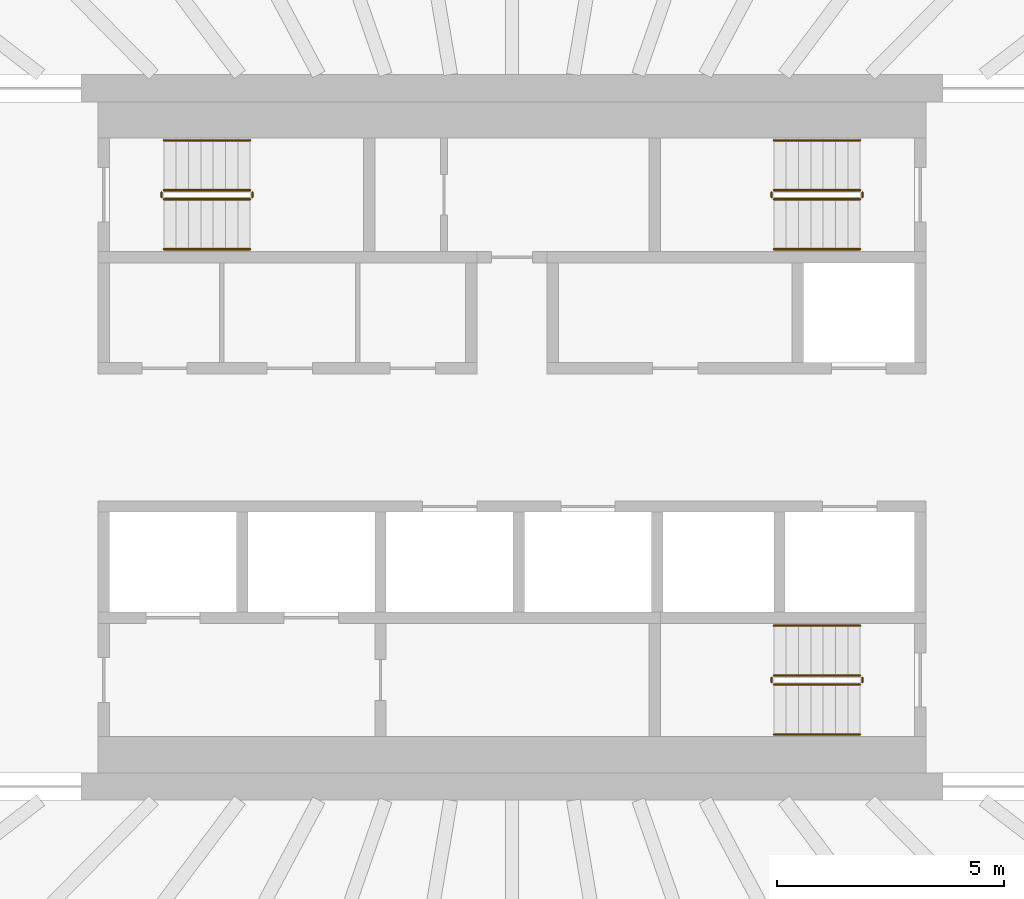
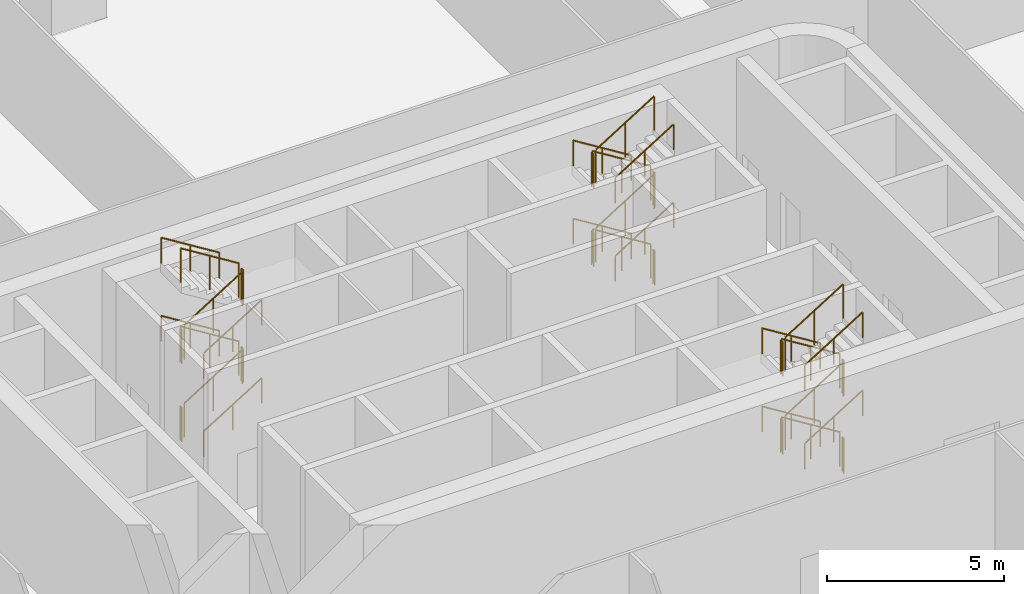
# One storey, part 41 of 42: 36 railings.
"""IFC4 building model written with IfcOpenShell, lengths in metres."""

from ifc_helpers import new_model, si_unit, direction, frame, origin, origin_2d, place, context, subcontext, project, spatial, circle, extrude, material, type_object, element, save


model = new_model("IFC4")

# Units and contexts
model_context = context("Model", 3, precision=1e-05, world=origin(), true_north=direction((0.0, 1.0)))
body_context = subcontext(model_context, "Body", "Model", "MODEL_VIEW")
ifc_project = project(units=[si_unit("LENGTHUNIT", "METRE"), si_unit("AREAUNIT", "SQUARE_METRE"), si_unit("VOLUMEUNIT", "CUBIC_METRE"), si_unit("PLANEANGLEUNIT", "RADIAN"), si_unit("MASSUNIT", "GRAM", prefix="KILO")], contexts=[model_context])

# Site, building, storey
site_placement = place(None, origin())
site = spatial("IfcSite", under=ifc_project, at=site_placement, CompositionType="ELEMENT")
building_placement = place(site_placement, origin())
building = spatial("IfcBuilding", under=site, at=building_placement, Name="Sahrelin Media Tower", CompositionType="ELEMENT")
storey_placement = place(building_placement, frame((0.0, 0.0, 26.0)))
storey = spatial("IfcBuildingStorey", under=building, at=storey_placement, Name="L03", CompositionType="ELEMENT", Elevation=26.0)

# Railings
ifc_material = material(Name="Steel S355", Category="steel")
railing_type_1 = type_object("IfcRailingType", Name="Stair guard 1200", PredefinedType="GUARDRAIL", material=ifc_material)
railing_1_placement = place(storey_placement, frame((-7.675048828125, 5.25, 0.168701171875)))
element("IfcRailing", 1, at=railing_1_placement, inside=storey, type_object=railing_type_1, Name="L03 ST1 stair guard 1", PredefinedType="GUARDRAIL", context=body_context, shape_type="SweptSolid", body=[
    extrude(circle(Radius=0.02392578125, at=origin_2d()), frame((0.0, 0.0, 1.17578125), z_axis=(0.849240365539, 0.0, 0.528006440812), x_axis=(0.0, 1.0, 0.0)), (0.0, 0.0, 1.0), 2.237548828125),
    extrude(circle(Radius=0.02099609375, at=origin_2d()), origin(), (0.0, 0.0, 1.0), 1.15185546875),
    extrude(circle(Radius=0.02099609375, at=origin_2d()), frame((0.9501953125, 0.0, 0.5908203125)), (0.0, 0.0, 1.0), 1.15185546875),
    extrude(circle(Radius=0.02099609375, at=origin_2d()), frame((1.900146484375, 0.0, 1.181396484375)), (0.0, 0.0, 1.0), 1.15185546875),
])
railing_2_placement = place(storey_placement, frame((-5.72509765625, 5.300048828125, 1.35009765625)))
element("IfcRailing", 2, at=railing_2_placement, inside=storey, type_object=railing_type_1, Name="L03 ST1 stair guard 2", PredefinedType="GUARDRAIL", context=body_context, shape_type="SweptSolid", body=[
    extrude(circle(Radius=0.02392578125, at=origin_2d()), frame((0.0, 0.0, 1.17578125), z_axis=(0.0, 1.0, 0.0), x_axis=(-1.0, 0.0, 0.0)), (0.0, 0.0, 1.0), 0.099853515625),
    extrude(circle(Radius=0.02099609375, at=origin_2d()), origin(), (0.0, 0.0, 1.0), 1.15185546875),
    extrude(circle(Radius=0.02099609375, at=origin_2d()), frame((0.0, 0.099853515625, 0.0)), (0.0, 0.0, 1.0), 1.15185546875),
])
railing_3_placement = place(storey_placement, frame((-5.77490234375, 5.449951171875, 1.518798828125)))
element("IfcRailing", 3, at=railing_3_placement, inside=storey, type_object=railing_type_1, Name="L03 ST1 stair guard 3", PredefinedType="GUARDRAIL", context=body_context, shape_type="SweptSolid", body=[
    extrude(circle(Radius=0.02392578125, at=origin_2d()), frame((0.0, 0.0, 1.17578125), z_axis=(-0.849289292259, 0.0, 0.527927739425), x_axis=(0.0, -1.0, 0.0)), (0.0, 0.0, 1.0), 2.2373046875),
    extrude(circle(Radius=0.02099609375, at=origin_2d()), origin(), (0.0, 0.0, 1.0), 1.15185546875),
    extrude(circle(Radius=0.02099609375, at=origin_2d()), frame((-0.9501953125, 0.0, 0.590576171875)), (0.0, 0.0, 1.0), 1.15185546875),
    extrude(circle(Radius=0.02099609375, at=origin_2d()), frame((-1.900146484375, 0.0, 1.18115234375)), (0.0, 0.0, 1.0), 1.15185546875),
])
railing_4_placement = place(storey_placement, frame((-7.72509765625, 5.300048828125, 2.699951171875)))
element("IfcRailing", 4, at=railing_4_placement, inside=storey, type_object=railing_type_1, Name="L03 ST1 stair guard 4", PredefinedType="GUARDRAIL", context=body_context, shape_type="SweptSolid", body=[
    extrude(circle(Radius=0.02392578125, at=origin_2d()), frame((0.0, 0.0, 1.17578125), z_axis=(0.0, 1.0, 0.0), x_axis=(-1.0, 0.0, 0.0)), (0.0, 0.0, 1.0), 0.099853515625),
    extrude(circle(Radius=0.02099609375, at=origin_2d()), origin(), (0.0, 0.0, 1.0), 1.15185546875),
    extrude(circle(Radius=0.02099609375, at=origin_2d()), frame((0.0, 0.099853515625, 0.0)), (0.0, 0.0, 1.0), 1.15185546875),
])
railing_5_placement = place(storey_placement, frame((-7.675048828125, 5.25, 2.86865234375)))
element("IfcRailing", 5, at=railing_5_placement, inside=storey, type_object=railing_type_1, Name="L03 ST1 stair guard 5", PredefinedType="GUARDRAIL", context=body_context, shape_type="SweptSolid", body=[
    extrude(circle(Radius=0.02392578125, at=origin_2d()), frame((0.0, 0.0, 1.17578125), z_axis=(0.849240365539, 0.0, 0.528006440812), x_axis=(0.0, 1.0, 0.0)), (0.0, 0.0, 1.0), 2.237548828125),
    extrude(circle(Radius=0.02099609375, at=origin_2d()), origin(), (0.0, 0.0, 1.0), 1.15185546875),
    extrude(circle(Radius=0.02099609375, at=origin_2d()), frame((0.9501953125, 0.0, 0.5908203125)), (0.0, 0.0, 1.0), 1.15185546875),
    extrude(circle(Radius=0.02099609375, at=origin_2d()), frame((1.900146484375, 0.0, 1.181396484375)), (0.0, 0.0, 1.0), 1.15185546875),
])
railing_6_placement = place(storey_placement, frame((-5.72509765625, 5.300048828125, 4.050048828125)))
element("IfcRailing", 6, at=railing_6_placement, inside=storey, type_object=railing_type_1, Name="L03 ST1 stair guard 6", PredefinedType="GUARDRAIL", context=body_context, shape_type="SweptSolid", body=[
    extrude(circle(Radius=0.02392578125, at=origin_2d()), frame((0.0, 0.0, 1.17578125), z_axis=(0.0, 1.0, 0.0), x_axis=(-1.0, 0.0, 0.0)), (0.0, 0.0, 1.0), 0.099853515625),
    extrude(circle(Radius=0.02099609375, at=origin_2d()), origin(), (0.0, 0.0, 1.0), 1.15185546875),
    extrude(circle(Radius=0.02099609375, at=origin_2d()), frame((0.0, 0.099853515625, 0.0)), (0.0, 0.0, 1.0), 1.15185546875),
])
railing_7_placement = place(storey_placement, frame((-5.77490234375, 5.449951171875, 4.21875)))
element("IfcRailing", 7, at=railing_7_placement, inside=storey, type_object=railing_type_1, Name="L03 ST1 stair guard 7", PredefinedType="GUARDRAIL", context=body_context, shape_type="SweptSolid", body=[
    extrude(circle(Radius=0.02392578125, at=origin_2d()), frame((0.0, 0.0, 1.17578125), z_axis=(-0.849289292259, 0.0, 0.527927739425), x_axis=(0.0, -1.0, 0.0)), (0.0, 0.0, 1.0), 2.2373046875),
    extrude(circle(Radius=0.02099609375, at=origin_2d()), origin(), (0.0, 0.0, 1.0), 1.15185546875),
    extrude(circle(Radius=0.02099609375, at=origin_2d()), frame((-0.9501953125, 0.0, 0.590576171875)), (0.0, 0.0, 1.0), 1.15185546875),
    extrude(circle(Radius=0.02099609375, at=origin_2d()), frame((-1.900146484375, 0.0, 1.18115234375)), (0.0, 0.0, 1.0), 1.15185546875),
])
railing_8_placement = place(storey_placement, frame((-7.72509765625, 5.300048828125, 0.0)))
element("IfcRailing", 8, at=railing_8_placement, inside=storey, type_object=railing_type_1, Name="L03 ST1 stair guard 8", PredefinedType="GUARDRAIL", context=body_context, shape_type="SweptSolid", body=[
    extrude(circle(Radius=0.02392578125, at=origin_2d()), frame((0.0, 0.0, 1.17578125), z_axis=(0.0, 1.0, 0.0), x_axis=(-1.0, 0.0, 0.0)), (0.0, 0.0, 1.0), 0.099853515625),
    extrude(circle(Radius=0.02099609375, at=origin_2d()), origin(), (0.0, 0.0, 1.0), 1.15185546875),
    extrude(circle(Radius=0.02099609375, at=origin_2d()), frame((0.0, 0.099853515625, 0.0)), (0.0, 0.0, 1.0), 1.15185546875),
])
railing_9_placement = place(storey_placement, frame((7.675048828125, 5.449951171875, 0.168701171875)))
element("IfcRailing", 9, at=railing_9_placement, inside=storey, type_object=railing_type_1, Name="L03 ST3 stair guard 1", PredefinedType="GUARDRAIL", context=body_context, shape_type="SweptSolid", body=[
    extrude(circle(Radius=0.02392578125, at=origin_2d()), frame((0.0, 0.0, 1.17578125), z_axis=(-0.849240365539, 0.0, 0.528006440812), x_axis=(0.0, -1.0, 0.0)), (0.0, 0.0, 1.0), 2.237548828125),
    extrude(circle(Radius=0.02099609375, at=origin_2d()), origin(), (0.0, 0.0, 1.0), 1.15185546875),
    extrude(circle(Radius=0.02099609375, at=origin_2d()), frame((-0.9501953125, 0.0, 0.5908203125)), (0.0, 0.0, 1.0), 1.15185546875),
    extrude(circle(Radius=0.02099609375, at=origin_2d()), frame((-1.900146484375, 0.0, 1.181396484375)), (0.0, 0.0, 1.0), 1.15185546875),
])
railing_10_placement = place(storey_placement, frame((5.72509765625, 5.39990234375, 1.35009765625)))
element("IfcRailing", 10, at=railing_10_placement, inside=storey, type_object=railing_type_1, Name="L03 ST3 stair guard 2", PredefinedType="GUARDRAIL", context=body_context, shape_type="SweptSolid", body=[
    extrude(circle(Radius=0.02392578125, at=origin_2d()), frame((0.0, 0.0, 1.17578125), z_axis=(0.0, -1.0, 0.0), x_axis=(1.0, 0.0, 0.0)), (0.0, 0.0, 1.0), 0.099853515625),
    extrude(circle(Radius=0.02099609375, at=origin_2d()), origin(), (0.0, 0.0, 1.0), 1.15185546875),
    extrude(circle(Radius=0.02099609375, at=origin_2d()), frame((0.0, -0.099853515625, 0.0)), (0.0, 0.0, 1.0), 1.15185546875),
])
railing_11_placement = place(storey_placement, frame((5.77490234375, 5.25, 1.518798828125)))
element("IfcRailing", 11, at=railing_11_placement, inside=storey, type_object=railing_type_1, Name="L03 ST3 stair guard 3", PredefinedType="GUARDRAIL", context=body_context, shape_type="SweptSolid", body=[
    extrude(circle(Radius=0.02392578125, at=origin_2d()), frame((0.0, 0.0, 1.17578125), z_axis=(0.849289292259, 0.0, 0.527927739425), x_axis=(0.0, 1.0, 0.0)), (0.0, 0.0, 1.0), 2.2373046875),
    extrude(circle(Radius=0.02099609375, at=origin_2d()), origin(), (0.0, 0.0, 1.0), 1.15185546875),
    extrude(circle(Radius=0.02099609375, at=origin_2d()), frame((0.9501953125, 0.0, 0.590576171875)), (0.0, 0.0, 1.0), 1.15185546875),
    extrude(circle(Radius=0.02099609375, at=origin_2d()), frame((1.900146484375, 0.0, 1.18115234375)), (0.0, 0.0, 1.0), 1.15185546875),
])
railing_12_placement = place(storey_placement, frame((7.72509765625, 5.39990234375, 2.699951171875)))
element("IfcRailing", 12, at=railing_12_placement, inside=storey, type_object=railing_type_1, Name="L03 ST3 stair guard 4", PredefinedType="GUARDRAIL", context=body_context, shape_type="SweptSolid", body=[
    extrude(circle(Radius=0.02392578125, at=origin_2d()), frame((0.0, 0.0, 1.17578125), z_axis=(0.0, -1.0, 0.0), x_axis=(1.0, 0.0, 0.0)), (0.0, 0.0, 1.0), 0.099853515625),
    extrude(circle(Radius=0.02099609375, at=origin_2d()), origin(), (0.0, 0.0, 1.0), 1.15185546875),
    extrude(circle(Radius=0.02099609375, at=origin_2d()), frame((0.0, -0.099853515625, 0.0)), (0.0, 0.0, 1.0), 1.15185546875),
])
railing_13_placement = place(storey_placement, frame((7.675048828125, 5.449951171875, 2.86865234375)))
element("IfcRailing", 13, at=railing_13_placement, inside=storey, type_object=railing_type_1, Name="L03 ST3 stair guard 5", PredefinedType="GUARDRAIL", context=body_context, shape_type="SweptSolid", body=[
    extrude(circle(Radius=0.02392578125, at=origin_2d()), frame((0.0, 0.0, 1.17578125), z_axis=(-0.849240365539, 0.0, 0.528006440812), x_axis=(0.0, -1.0, 0.0)), (0.0, 0.0, 1.0), 2.237548828125),
    extrude(circle(Radius=0.02099609375, at=origin_2d()), origin(), (0.0, 0.0, 1.0), 1.15185546875),
    extrude(circle(Radius=0.02099609375, at=origin_2d()), frame((-0.9501953125, 0.0, 0.5908203125)), (0.0, 0.0, 1.0), 1.15185546875),
    extrude(circle(Radius=0.02099609375, at=origin_2d()), frame((-1.900146484375, 0.0, 1.181396484375)), (0.0, 0.0, 1.0), 1.15185546875),
])
railing_14_placement = place(storey_placement, frame((5.72509765625, 5.39990234375, 4.050048828125)))
element("IfcRailing", 14, at=railing_14_placement, inside=storey, type_object=railing_type_1, Name="L03 ST3 stair guard 6", PredefinedType="GUARDRAIL", context=body_context, shape_type="SweptSolid", body=[
    extrude(circle(Radius=0.02392578125, at=origin_2d()), frame((0.0, 0.0, 1.17578125), z_axis=(0.0, -1.0, 0.0), x_axis=(1.0, 0.0, 0.0)), (0.0, 0.0, 1.0), 0.099853515625),
    extrude(circle(Radius=0.02099609375, at=origin_2d()), origin(), (0.0, 0.0, 1.0), 1.15185546875),
    extrude(circle(Radius=0.02099609375, at=origin_2d()), frame((0.0, -0.099853515625, 0.0)), (0.0, 0.0, 1.0), 1.15185546875),
])
railing_15_placement = place(storey_placement, frame((5.77490234375, 5.25, 4.21875)))
element("IfcRailing", 15, at=railing_15_placement, inside=storey, type_object=railing_type_1, Name="L03 ST3 stair guard 7", PredefinedType="GUARDRAIL", context=body_context, shape_type="SweptSolid", body=[
    extrude(circle(Radius=0.02392578125, at=origin_2d()), frame((0.0, 0.0, 1.17578125), z_axis=(0.849289292259, 0.0, 0.527927739425), x_axis=(0.0, 1.0, 0.0)), (0.0, 0.0, 1.0), 2.2373046875),
    extrude(circle(Radius=0.02099609375, at=origin_2d()), origin(), (0.0, 0.0, 1.0), 1.15185546875),
    extrude(circle(Radius=0.02099609375, at=origin_2d()), frame((0.9501953125, 0.0, 0.590576171875)), (0.0, 0.0, 1.0), 1.15185546875),
    extrude(circle(Radius=0.02099609375, at=origin_2d()), frame((1.900146484375, 0.0, 1.18115234375)), (0.0, 0.0, 1.0), 1.15185546875),
])
railing_16_placement = place(storey_placement, frame((7.72509765625, 5.39990234375, 0.0)))
element("IfcRailing", 16, at=railing_16_placement, inside=storey, type_object=railing_type_1, Name="L03 ST3 stair guard 8", PredefinedType="GUARDRAIL", context=body_context, shape_type="SweptSolid", body=[
    extrude(circle(Radius=0.02392578125, at=origin_2d()), frame((0.0, 0.0, 1.17578125), z_axis=(0.0, -1.0, 0.0), x_axis=(1.0, 0.0, 0.0)), (0.0, 0.0, 1.0), 0.099853515625),
    extrude(circle(Radius=0.02099609375, at=origin_2d()), origin(), (0.0, 0.0, 1.0), 1.15185546875),
    extrude(circle(Radius=0.02099609375, at=origin_2d()), frame((0.0, -0.099853515625, 0.0)), (0.0, 0.0, 1.0), 1.15185546875),
])
railing_17_placement = place(storey_placement, frame((7.675048828125, -5.25, 0.168701171875)))
element("IfcRailing", 17, at=railing_17_placement, inside=storey, type_object=railing_type_1, Name="L03 ST2 stair guard 1", PredefinedType="GUARDRAIL", context=body_context, shape_type="SweptSolid", body=[
    extrude(circle(Radius=0.02392578125, at=origin_2d()), frame((0.0, 0.0, 1.17578125), z_axis=(-0.849240365539, 0.0, 0.528006440812), x_axis=(0.0, -1.0, 0.0)), (0.0, 0.0, 1.0), 2.237548828125),
    extrude(circle(Radius=0.02099609375, at=origin_2d()), origin(), (0.0, 0.0, 1.0), 1.15185546875),
    extrude(circle(Radius=0.02099609375, at=origin_2d()), frame((-0.9501953125, 0.0, 0.5908203125)), (0.0, 0.0, 1.0), 1.15185546875),
    extrude(circle(Radius=0.02099609375, at=origin_2d()), frame((-1.900146484375, 0.0, 1.181396484375)), (0.0, 0.0, 1.0), 1.15185546875),
])
railing_18_placement = place(storey_placement, frame((5.72509765625, -5.300048828125, 1.35009765625)))
element("IfcRailing", 18, at=railing_18_placement, inside=storey, type_object=railing_type_1, Name="L03 ST2 stair guard 2", PredefinedType="GUARDRAIL", context=body_context, shape_type="SweptSolid", body=[
    extrude(circle(Radius=0.02392578125, at=origin_2d()), frame((0.0, 0.0, 1.17578125), z_axis=(0.0, -1.0, 0.0), x_axis=(1.0, 0.0, 0.0)), (0.0, 0.0, 1.0), 0.099853515625),
    extrude(circle(Radius=0.02099609375, at=origin_2d()), origin(), (0.0, 0.0, 1.0), 1.15185546875),
    extrude(circle(Radius=0.02099609375, at=origin_2d()), frame((0.0, -0.099853515625, 0.0)), (0.0, 0.0, 1.0), 1.15185546875),
])
railing_19_placement = place(storey_placement, frame((5.77490234375, -5.449951171875, 1.518798828125)))
element("IfcRailing", 19, at=railing_19_placement, inside=storey, type_object=railing_type_1, Name="L03 ST2 stair guard 3", PredefinedType="GUARDRAIL", context=body_context, shape_type="SweptSolid", body=[
    extrude(circle(Radius=0.02392578125, at=origin_2d()), frame((0.0, 0.0, 1.17578125), z_axis=(0.849289292259, 0.0, 0.527927739425), x_axis=(0.0, 1.0, 0.0)), (0.0, 0.0, 1.0), 2.2373046875),
    extrude(circle(Radius=0.02099609375, at=origin_2d()), origin(), (0.0, 0.0, 1.0), 1.15185546875),
    extrude(circle(Radius=0.02099609375, at=origin_2d()), frame((0.9501953125, 0.0, 0.590576171875)), (0.0, 0.0, 1.0), 1.15185546875),
    extrude(circle(Radius=0.02099609375, at=origin_2d()), frame((1.900146484375, 0.0, 1.18115234375)), (0.0, 0.0, 1.0), 1.15185546875),
])
railing_20_placement = place(storey_placement, frame((7.72509765625, -5.300048828125, 2.699951171875)))
element("IfcRailing", 20, at=railing_20_placement, inside=storey, type_object=railing_type_1, Name="L03 ST2 stair guard 4", PredefinedType="GUARDRAIL", context=body_context, shape_type="SweptSolid", body=[
    extrude(circle(Radius=0.02392578125, at=origin_2d()), frame((0.0, 0.0, 1.17578125), z_axis=(0.0, -1.0, 0.0), x_axis=(1.0, 0.0, 0.0)), (0.0, 0.0, 1.0), 0.099853515625),
    extrude(circle(Radius=0.02099609375, at=origin_2d()), origin(), (0.0, 0.0, 1.0), 1.15185546875),
    extrude(circle(Radius=0.02099609375, at=origin_2d()), frame((0.0, -0.099853515625, 0.0)), (0.0, 0.0, 1.0), 1.15185546875),
])
railing_21_placement = place(storey_placement, frame((7.675048828125, -5.25, 2.86865234375)))
element("IfcRailing", 21, at=railing_21_placement, inside=storey, type_object=railing_type_1, Name="L03 ST2 stair guard 5", PredefinedType="GUARDRAIL", context=body_context, shape_type="SweptSolid", body=[
    extrude(circle(Radius=0.02392578125, at=origin_2d()), frame((0.0, 0.0, 1.17578125), z_axis=(-0.849240365539, 0.0, 0.528006440812), x_axis=(0.0, -1.0, 0.0)), (0.0, 0.0, 1.0), 2.237548828125),
    extrude(circle(Radius=0.02099609375, at=origin_2d()), origin(), (0.0, 0.0, 1.0), 1.15185546875),
    extrude(circle(Radius=0.02099609375, at=origin_2d()), frame((-0.9501953125, 0.0, 0.5908203125)), (0.0, 0.0, 1.0), 1.15185546875),
    extrude(circle(Radius=0.02099609375, at=origin_2d()), frame((-1.900146484375, 0.0, 1.181396484375)), (0.0, 0.0, 1.0), 1.15185546875),
])
railing_22_placement = place(storey_placement, frame((5.72509765625, -5.300048828125, 4.050048828125)))
element("IfcRailing", 22, at=railing_22_placement, inside=storey, type_object=railing_type_1, Name="L03 ST2 stair guard 6", PredefinedType="GUARDRAIL", context=body_context, shape_type="SweptSolid", body=[
    extrude(circle(Radius=0.02392578125, at=origin_2d()), frame((0.0, 0.0, 1.17578125), z_axis=(0.0, -1.0, 0.0), x_axis=(1.0, 0.0, 0.0)), (0.0, 0.0, 1.0), 0.099853515625),
    extrude(circle(Radius=0.02099609375, at=origin_2d()), origin(), (0.0, 0.0, 1.0), 1.15185546875),
    extrude(circle(Radius=0.02099609375, at=origin_2d()), frame((0.0, -0.099853515625, 0.0)), (0.0, 0.0, 1.0), 1.15185546875),
])
railing_23_placement = place(storey_placement, frame((5.77490234375, -5.449951171875, 4.21875)))
element("IfcRailing", 23, at=railing_23_placement, inside=storey, type_object=railing_type_1, Name="L03 ST2 stair guard 7", PredefinedType="GUARDRAIL", context=body_context, shape_type="SweptSolid", body=[
    extrude(circle(Radius=0.02392578125, at=origin_2d()), frame((0.0, 0.0, 1.17578125), z_axis=(0.849289292259, 0.0, 0.527927739425), x_axis=(0.0, 1.0, 0.0)), (0.0, 0.0, 1.0), 2.2373046875),
    extrude(circle(Radius=0.02099609375, at=origin_2d()), origin(), (0.0, 0.0, 1.0), 1.15185546875),
    extrude(circle(Radius=0.02099609375, at=origin_2d()), frame((0.9501953125, 0.0, 0.590576171875)), (0.0, 0.0, 1.0), 1.15185546875),
    extrude(circle(Radius=0.02099609375, at=origin_2d()), frame((1.900146484375, 0.0, 1.18115234375)), (0.0, 0.0, 1.0), 1.15185546875),
])
railing_24_placement = place(storey_placement, frame((7.72509765625, -5.300048828125, 0.0)))
element("IfcRailing", 24, at=railing_24_placement, inside=storey, type_object=railing_type_1, Name="L03 ST2 stair guard 8", PredefinedType="GUARDRAIL", context=body_context, shape_type="SweptSolid", body=[
    extrude(circle(Radius=0.02392578125, at=origin_2d()), frame((0.0, 0.0, 1.17578125), z_axis=(0.0, -1.0, 0.0), x_axis=(1.0, 0.0, 0.0)), (0.0, 0.0, 1.0), 0.099853515625),
    extrude(circle(Radius=0.02099609375, at=origin_2d()), origin(), (0.0, 0.0, 1.0), 1.15185546875),
    extrude(circle(Radius=0.02099609375, at=origin_2d()), frame((0.0, -0.099853515625, 0.0)), (0.0, 0.0, 1.0), 1.15185546875),
])
railing_type_2 = type_object("IfcRailingType", Name="Stair handrail 900", PredefinedType="HANDRAIL", material=ifc_material)
railing_25_placement = place(storey_placement, frame((-7.675048828125, 4.14990234375, 0.168701171875)))
element("IfcRailing", 25, at=railing_25_placement, inside=storey, type_object=railing_type_2, Name="L03 ST1 stair handrail 1", PredefinedType="HANDRAIL", context=body_context, shape_type="SweptSolid", body=[
    extrude(circle(Radius=0.02392578125, at=origin_2d()), frame((0.0, 0.0, 0.8759765625), z_axis=(0.849240365539, 0.0, 0.528006440812), x_axis=(0.0, 1.0, 0.0)), (0.0, 0.0, 1.0), 2.237548828125),
    extrude(circle(Radius=0.02099609375, at=origin_2d()), origin(), (0.0, 0.0, 1.0), 0.851806640625),
    extrude(circle(Radius=0.02099609375, at=origin_2d()), frame((0.9501953125, 0.0, 0.5908203125)), (0.0, 0.0, 1.0), 0.851806640625),
    extrude(circle(Radius=0.02099609375, at=origin_2d()), frame((1.900146484375, 0.0, 1.181396484375)), (0.0, 0.0, 1.0), 0.851806640625),
])
railing_26_placement = place(storey_placement, frame((-5.77490234375, 6.550048828125, 1.518798828125)))
element("IfcRailing", 26, at=railing_26_placement, inside=storey, type_object=railing_type_2, Name="L03 ST1 stair handrail 2", PredefinedType="HANDRAIL", context=body_context, shape_type="SweptSolid", body=[
    extrude(circle(Radius=0.02392578125, at=origin_2d()), frame((0.0, 0.0, 0.8759765625), z_axis=(-0.849289292259, 0.0, 0.527927739425), x_axis=(0.0, -1.0, 0.0)), (0.0, 0.0, 1.0), 2.2373046875),
    extrude(circle(Radius=0.02099609375, at=origin_2d()), origin(), (0.0, 0.0, 1.0), 0.851806640625),
    extrude(circle(Radius=0.02099609375, at=origin_2d()), frame((-0.9501953125, 0.0, 0.590576171875)), (0.0, 0.0, 1.0), 0.851806640625),
    extrude(circle(Radius=0.02099609375, at=origin_2d()), frame((-1.900146484375, 0.0, 1.18115234375)), (0.0, 0.0, 1.0), 0.851806640625),
])
railing_27_placement = place(storey_placement, frame((-7.675048828125, 4.14990234375, 2.86865234375)))
element("IfcRailing", 27, at=railing_27_placement, inside=storey, type_object=railing_type_2, Name="L03 ST1 stair handrail 3", PredefinedType="HANDRAIL", context=body_context, shape_type="SweptSolid", body=[
    extrude(circle(Radius=0.02392578125, at=origin_2d()), frame((0.0, 0.0, 0.8759765625), z_axis=(0.849240365539, 0.0, 0.528006440812), x_axis=(0.0, 1.0, 0.0)), (0.0, 0.0, 1.0), 2.237548828125),
    extrude(circle(Radius=0.02099609375, at=origin_2d()), origin(), (0.0, 0.0, 1.0), 0.851806640625),
    extrude(circle(Radius=0.02099609375, at=origin_2d()), frame((0.9501953125, 0.0, 0.5908203125)), (0.0, 0.0, 1.0), 0.851806640625),
    extrude(circle(Radius=0.02099609375, at=origin_2d()), frame((1.900146484375, 0.0, 1.181396484375)), (0.0, 0.0, 1.0), 0.851806640625),
])
railing_28_placement = place(storey_placement, frame((-5.77490234375, 6.550048828125, 4.21875)))
element("IfcRailing", 28, at=railing_28_placement, inside=storey, type_object=railing_type_2, Name="L03 ST1 stair handrail 4", PredefinedType="HANDRAIL", context=body_context, shape_type="SweptSolid", body=[
    extrude(circle(Radius=0.02392578125, at=origin_2d()), frame((0.0, 0.0, 0.8759765625), z_axis=(-0.849289292259, 0.0, 0.527927739425), x_axis=(0.0, -1.0, 0.0)), (0.0, 0.0, 1.0), 2.2373046875),
    extrude(circle(Radius=0.02099609375, at=origin_2d()), origin(), (0.0, 0.0, 1.0), 0.851806640625),
    extrude(circle(Radius=0.02099609375, at=origin_2d()), frame((-0.9501953125, 0.0, 0.590576171875)), (0.0, 0.0, 1.0), 0.851806640625),
    extrude(circle(Radius=0.02099609375, at=origin_2d()), frame((-1.900146484375, 0.0, 1.18115234375)), (0.0, 0.0, 1.0), 0.851806640625),
])
railing_29_placement = place(storey_placement, frame((7.675048828125, 6.550048828125, 0.168701171875)))
element("IfcRailing", 29, at=railing_29_placement, inside=storey, type_object=railing_type_2, Name="L03 ST3 stair handrail 1", PredefinedType="HANDRAIL", context=body_context, shape_type="SweptSolid", body=[
    extrude(circle(Radius=0.02392578125, at=origin_2d()), frame((0.0, 0.0, 0.8759765625), z_axis=(-0.849240365539, 0.0, 0.528006440812), x_axis=(0.0, -1.0, 0.0)), (0.0, 0.0, 1.0), 2.237548828125),
    extrude(circle(Radius=0.02099609375, at=origin_2d()), origin(), (0.0, 0.0, 1.0), 0.851806640625),
    extrude(circle(Radius=0.02099609375, at=origin_2d()), frame((-0.9501953125, 0.0, 0.5908203125)), (0.0, 0.0, 1.0), 0.851806640625),
    extrude(circle(Radius=0.02099609375, at=origin_2d()), frame((-1.900146484375, 0.0, 1.181396484375)), (0.0, 0.0, 1.0), 0.851806640625),
])
railing_30_placement = place(storey_placement, frame((5.77490234375, 4.14990234375, 1.518798828125)))
element("IfcRailing", 30, at=railing_30_placement, inside=storey, type_object=railing_type_2, Name="L03 ST3 stair handrail 2", PredefinedType="HANDRAIL", context=body_context, shape_type="SweptSolid", body=[
    extrude(circle(Radius=0.02392578125, at=origin_2d()), frame((0.0, 0.0, 0.8759765625), z_axis=(0.849289292259, 0.0, 0.527927739425), x_axis=(0.0, 1.0, 0.0)), (0.0, 0.0, 1.0), 2.2373046875),
    extrude(circle(Radius=0.02099609375, at=origin_2d()), origin(), (0.0, 0.0, 1.0), 0.851806640625),
    extrude(circle(Radius=0.02099609375, at=origin_2d()), frame((0.9501953125, 0.0, 0.590576171875)), (0.0, 0.0, 1.0), 0.851806640625),
    extrude(circle(Radius=0.02099609375, at=origin_2d()), frame((1.900146484375, 0.0, 1.18115234375)), (0.0, 0.0, 1.0), 0.851806640625),
])
railing_31_placement = place(storey_placement, frame((7.675048828125, 6.550048828125, 2.86865234375)))
element("IfcRailing", 31, at=railing_31_placement, inside=storey, type_object=railing_type_2, Name="L03 ST3 stair handrail 3", PredefinedType="HANDRAIL", context=body_context, shape_type="SweptSolid", body=[
    extrude(circle(Radius=0.02392578125, at=origin_2d()), frame((0.0, 0.0, 0.8759765625), z_axis=(-0.849240365539, 0.0, 0.528006440812), x_axis=(0.0, -1.0, 0.0)), (0.0, 0.0, 1.0), 2.237548828125),
    extrude(circle(Radius=0.02099609375, at=origin_2d()), origin(), (0.0, 0.0, 1.0), 0.851806640625),
    extrude(circle(Radius=0.02099609375, at=origin_2d()), frame((-0.9501953125, 0.0, 0.5908203125)), (0.0, 0.0, 1.0), 0.851806640625),
    extrude(circle(Radius=0.02099609375, at=origin_2d()), frame((-1.900146484375, 0.0, 1.181396484375)), (0.0, 0.0, 1.0), 0.851806640625),
])
railing_32_placement = place(storey_placement, frame((5.77490234375, 4.14990234375, 4.21875)))
element("IfcRailing", 32, at=railing_32_placement, inside=storey, type_object=railing_type_2, Name="L03 ST3 stair handrail 4", PredefinedType="HANDRAIL", context=body_context, shape_type="SweptSolid", body=[
    extrude(circle(Radius=0.02392578125, at=origin_2d()), frame((0.0, 0.0, 0.8759765625), z_axis=(0.849289292259, 0.0, 0.527927739425), x_axis=(0.0, 1.0, 0.0)), (0.0, 0.0, 1.0), 2.2373046875),
    extrude(circle(Radius=0.02099609375, at=origin_2d()), origin(), (0.0, 0.0, 1.0), 0.851806640625),
    extrude(circle(Radius=0.02099609375, at=origin_2d()), frame((0.9501953125, 0.0, 0.590576171875)), (0.0, 0.0, 1.0), 0.851806640625),
    extrude(circle(Radius=0.02099609375, at=origin_2d()), frame((1.900146484375, 0.0, 1.18115234375)), (0.0, 0.0, 1.0), 0.851806640625),
])
railing_33_placement = place(storey_placement, frame((7.675048828125, -4.14990234375, 0.168701171875)))
element("IfcRailing", 33, at=railing_33_placement, inside=storey, type_object=railing_type_2, Name="L03 ST2 stair handrail 1", PredefinedType="HANDRAIL", context=body_context, shape_type="SweptSolid", body=[
    extrude(circle(Radius=0.02392578125, at=origin_2d()), frame((0.0, 0.0, 0.8759765625), z_axis=(-0.849240365539, 0.0, 0.528006440812), x_axis=(0.0, -1.0, 0.0)), (0.0, 0.0, 1.0), 2.237548828125),
    extrude(circle(Radius=0.02099609375, at=origin_2d()), origin(), (0.0, 0.0, 1.0), 0.851806640625),
    extrude(circle(Radius=0.02099609375, at=origin_2d()), frame((-0.9501953125, 0.0, 0.5908203125)), (0.0, 0.0, 1.0), 0.851806640625),
    extrude(circle(Radius=0.02099609375, at=origin_2d()), frame((-1.900146484375, 0.0, 1.181396484375)), (0.0, 0.0, 1.0), 0.851806640625),
])
railing_34_placement = place(storey_placement, frame((5.77490234375, -6.550048828125, 1.518798828125)))
element("IfcRailing", 34, at=railing_34_placement, inside=storey, type_object=railing_type_2, Name="L03 ST2 stair handrail 2", PredefinedType="HANDRAIL", context=body_context, shape_type="SweptSolid", body=[
    extrude(circle(Radius=0.02392578125, at=origin_2d()), frame((0.0, 0.0, 0.8759765625), z_axis=(0.849289292259, 0.0, 0.527927739425), x_axis=(0.0, 1.0, 0.0)), (0.0, 0.0, 1.0), 2.2373046875),
    extrude(circle(Radius=0.02099609375, at=origin_2d()), origin(), (0.0, 0.0, 1.0), 0.851806640625),
    extrude(circle(Radius=0.02099609375, at=origin_2d()), frame((0.9501953125, 0.0, 0.590576171875)), (0.0, 0.0, 1.0), 0.851806640625),
    extrude(circle(Radius=0.02099609375, at=origin_2d()), frame((1.900146484375, 0.0, 1.18115234375)), (0.0, 0.0, 1.0), 0.851806640625),
])
railing_35_placement = place(storey_placement, frame((7.675048828125, -4.14990234375, 2.86865234375)))
element("IfcRailing", 35, at=railing_35_placement, inside=storey, type_object=railing_type_2, Name="L03 ST2 stair handrail 3", PredefinedType="HANDRAIL", context=body_context, shape_type="SweptSolid", body=[
    extrude(circle(Radius=0.02392578125, at=origin_2d()), frame((0.0, 0.0, 0.8759765625), z_axis=(-0.849240365539, 0.0, 0.528006440812), x_axis=(0.0, -1.0, 0.0)), (0.0, 0.0, 1.0), 2.237548828125),
    extrude(circle(Radius=0.02099609375, at=origin_2d()), origin(), (0.0, 0.0, 1.0), 0.851806640625),
    extrude(circle(Radius=0.02099609375, at=origin_2d()), frame((-0.9501953125, 0.0, 0.5908203125)), (0.0, 0.0, 1.0), 0.851806640625),
    extrude(circle(Radius=0.02099609375, at=origin_2d()), frame((-1.900146484375, 0.0, 1.181396484375)), (0.0, 0.0, 1.0), 0.851806640625),
])
railing_36_placement = place(storey_placement, frame((5.77490234375, -6.550048828125, 4.21875)))
element("IfcRailing", 36, at=railing_36_placement, inside=storey, type_object=railing_type_2, Name="L03 ST2 stair handrail 4", PredefinedType="HANDRAIL", context=body_context, shape_type="SweptSolid", body=[
    extrude(circle(Radius=0.02392578125, at=origin_2d()), frame((0.0, 0.0, 0.8759765625), z_axis=(0.849289292259, 0.0, 0.527927739425), x_axis=(0.0, 1.0, 0.0)), (0.0, 0.0, 1.0), 2.2373046875),
    extrude(circle(Radius=0.02099609375, at=origin_2d()), origin(), (0.0, 0.0, 1.0), 0.851806640625),
    extrude(circle(Radius=0.02099609375, at=origin_2d()), frame((0.9501953125, 0.0, 0.590576171875)), (0.0, 0.0, 1.0), 0.851806640625),
    extrude(circle(Radius=0.02099609375, at=origin_2d()), frame((1.900146484375, 0.0, 1.18115234375)), (0.0, 0.0, 1.0), 0.851806640625),
])

save(model, "model.ifc")
